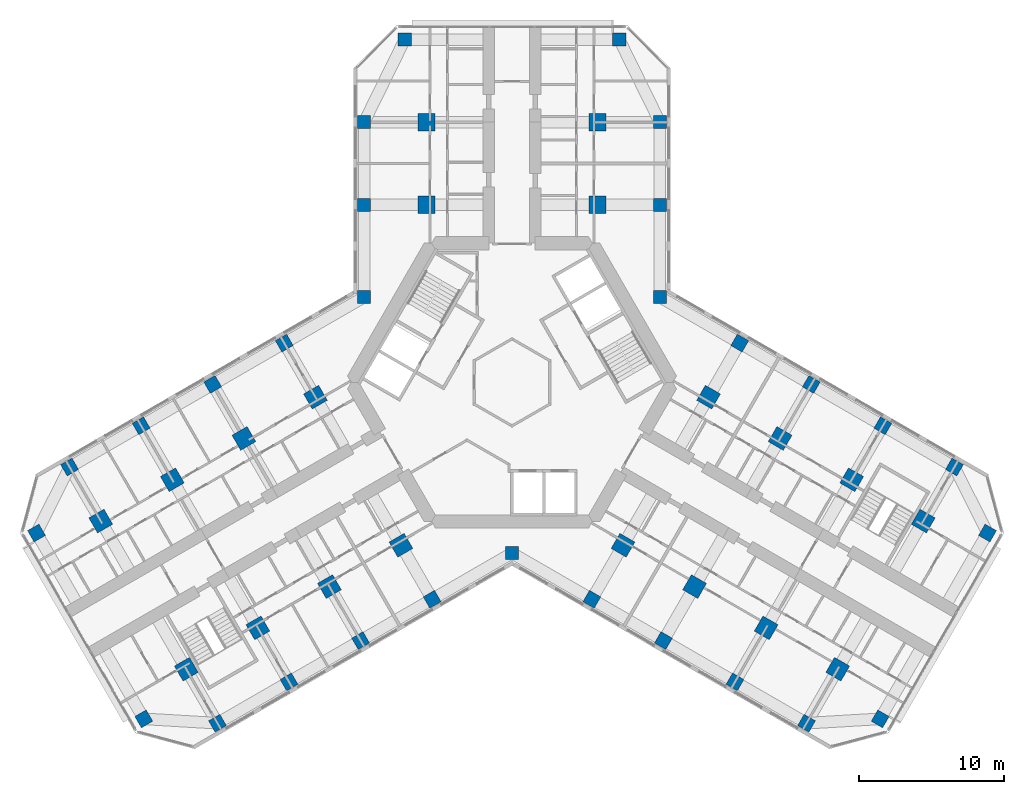
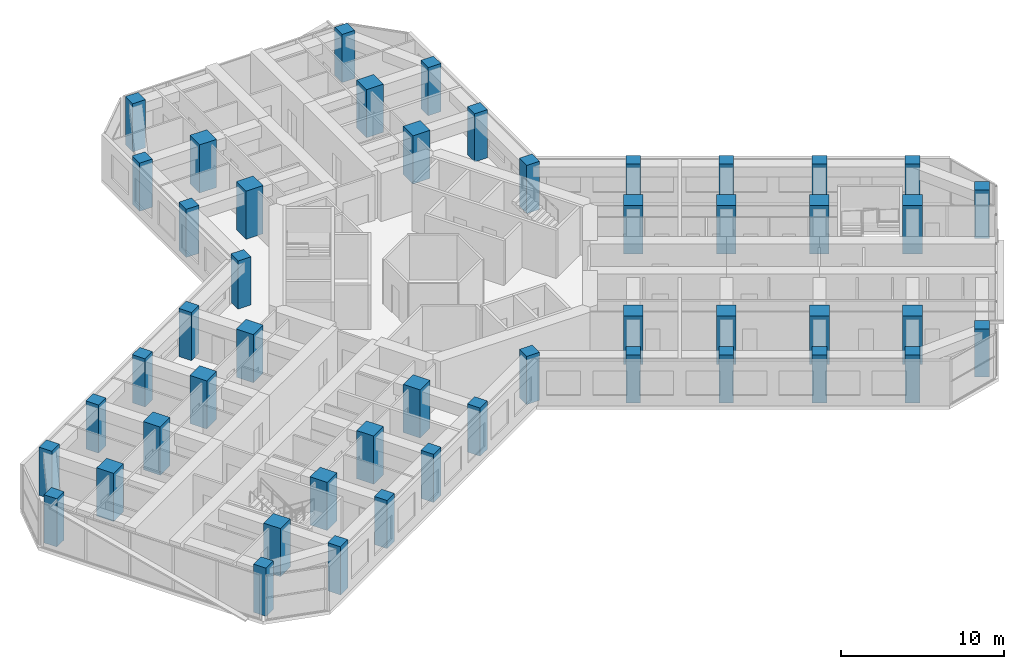
# One storey, part 1 of 19: 49 columns.
"""IFC4 building model written with IfcOpenShell, lengths in metres."""

from ifc_helpers import new_model, si_unit, direction, frame, origin, origin_2d, place, context, subcontext, project, spatial, rectangle, extrude, material, material_profile, profile_set, type_object, element, save


model = new_model("IFC4")

# Units and contexts
model_context = context("Model", 3, precision=1e-05, world=origin(), true_north=direction((0.0, 1.0)))
body_context = subcontext(model_context, "Body", "Model", "MODEL_VIEW")
ifc_project = project(units=[si_unit("LENGTHUNIT", "METRE"), si_unit("AREAUNIT", "SQUARE_METRE"), si_unit("VOLUMEUNIT", "CUBIC_METRE"), si_unit("PLANEANGLEUNIT", "RADIAN"), si_unit("MASSUNIT", "GRAM", prefix="KILO")], contexts=[model_context])

# Site, building, storey
site_placement = place(None, origin())
site = spatial("IfcSite", under=ifc_project, at=site_placement, CompositionType="ELEMENT")
building_placement = place(site_placement, origin())
building = spatial("IfcBuilding", under=site, at=building_placement, Name="Kosmar Iwan School Tower", CompositionType="ELEMENT")
storey_placement = place(building_placement, frame((0.0, 0.0, 141.800048828125)))
storey = spatial("IfcBuildingStorey", under=building, at=storey_placement, Name="L35", CompositionType="ELEMENT", Elevation=141.800048828125)

# Columns
ifc_material_1 = material(Name="Concrete C50/60", Category="concrete")
ifc_material_profile_1 = material_profile(ifc_material_1, rectangle(XDim=0.89990234375, YDim=0.89990234375, at=origin_2d()), Name="RC 900x900 + HD 400x634")
ifc_profile_set_1 = profile_set([ifc_material_profile_1], Name="Concrete C50/60")
column_type_1 = type_object("IfcColumnType", Name="Composite column 900x900 HD 400x634", PredefinedType="COLUMN", material=ifc_profile_set_1)
for number, where, z_axis, x_axis, name in (
    (1, (-10.199951171875, 12.25, 0.0), (0.0, 0.0, 1.0), (0.0, 1.0, 0.0), "Column AL1 L35"),
    (2, (-10.199951171875, 17.949951171875, 0.0), (0.0, 0.0, 1.0), (0.0, 1.0, 0.0), "Column AL2 L35"),
    (3, (-7.39990234375, 23.64990234375, 0.0), (0.0, 0.0, 1.0), (0.0, 1.0, 0.0), "Column ALTIP L35"),
    (4, (10.199951171875, 12.25, 0.0), (0.0, 0.0, 1.0), (0.0, 1.0, 0.0), "Column AR1 L35"),
    (5, (10.199951171875, 17.949951171875, 0.0), (0.0, 0.0, 1.0), (0.0, 1.0, 0.0), "Column AR2 L35"),
    (6, (7.39990234375, 23.64990234375, 0.0), (0.0, 0.0, 1.0), (0.0, 1.0, 0.0), "Column ARTIP L35"),
    (7, (-5.5087890625, -14.95849609375, 0.0), (0.0, 0.0, 1.0), (-0.866025403784, -0.5, 0.0), "Column BL1 L35"),
    (8, (-10.445068359375, -17.808349609375, 0.0), (0.0, 0.0, 1.0), (-0.866025403784, -0.5, 0.0), "Column BL2 L35"),
    (9, (-15.381591796875, -20.658447265625, 0.0), (0.0, 0.0, 1.0), (-0.866025403784, -0.5, 0.0), "Column BL3 L35"),
    (10, (-20.31787109375, -23.508544921875, 0.0), (0.0, 0.0, 1.0), (-0.866025403784, -0.5, 0.0), "Column BL4 L35"),
    (11, (-25.3984375, -23.20849609375, 0.0), (0.0, 0.0, 1.0), (-0.866025403784, -0.5, 0.0), "Column BLTIP L35"),
    (12, (-15.708740234375, 2.70849609375, 0.0), (0.0, 0.0, 1.0), (-0.866025403784, -0.5, 0.0), "Column BR1 L35"),
    (13, (-20.645263671875, -0.1416015625, 0.0), (0.0, 0.0, 1.0), (-0.866025403784, -0.5, 0.0), "Column BR2 L35"),
    (14, (-25.58154296875, -2.991455078125, 0.0), (0.0, 0.0, 1.0), (-0.866025403784, -0.5, 0.0), "Column BR3 L35"),
    (15, (-30.517822265625, -5.841552734375, 0.0), (0.0, 0.0, 1.0), (-0.866025403784, -0.5, 0.0), "Column BR4 L35"),
    (16, (-32.79833984375, -10.391357421875, 0.0), (0.0, 0.0, 1.0), (-0.866025403784, -0.5, 0.0), "Column BRTIP L35"),
    (17, (15.708740234375, 2.70849609375, 0.0), (0.0, 0.0, 1.0), (0.866025403784, -0.5, 0.0), "Column CL1 L35"),
    (18, (20.645263671875, -0.1416015625, 0.0), (0.0, 0.0, 1.0), (0.866025403784, -0.5, 0.0), "Column CL2 L35"),
    (19, (25.58154296875, -2.991455078125, 0.0), (0.0, 0.0, 1.0), (0.866025403784, -0.5, 0.0), "Column CL3 L35"),
    (20, (30.517822265625, -5.841552734375, 0.0), (0.0, 0.0, 1.0), (0.866025403784, -0.5, 0.0), "Column CL4 L35"),
    (21, (32.79833984375, -10.391357421875, 0.0), (0.0, 0.0, 1.0), (0.866025403784, -0.5, 0.0), "Column CLTIP L35"),
    (22, (5.5087890625, -14.95849609375, 0.0), (0.0, 0.0, 1.0), (0.866025403784, -0.5, 0.0), "Column CR1 L35"),
    (23, (10.445068359375, -17.808349609375, 0.0), (0.0, 0.0, 1.0), (0.866025403784, -0.5, 0.0), "Column CR2 L35"),
    (24, (15.381591796875, -20.658447265625, 0.0), (0.0, 0.0, 1.0), (0.866025403784, -0.5, 0.0), "Column CR3 L35"),
    (25, (20.31787109375, -23.508544921875, 0.0), (0.0, 0.0, 1.0), (0.866025403784, -0.5, 0.0), "Column CR4 L35"),
    (26, (25.3984375, -23.20849609375, 0.0), (0.0, 0.0, 1.0), (0.866025403784, -0.5, 0.0), "Column CRTIP L35"),
    (27, (-10.199951171875, 5.888916015625, 0.0), (0.0, 0.0, 1.0), (1.0, 0.0, 0.0), "Column RAB L35"),
    (28, (10.199951171875, 5.888916015625, 0.0), (0.0, 0.0, 1.0), (1.0, 0.0, 0.0), "Column RAC L35"),
    (29, (0.0, -11.77783203125, 0.0), (0.0, 0.0, 1.0), (1.0, 0.0, 0.0), "Column RBC L35"),
):
    element("IfcColumn", number, at=place(storey_placement, frame(where, z_axis=z_axis, x_axis=x_axis)), inside=storey, type_object=column_type_1, Name=name, PredefinedType="COLUMN", context=body_context, shape_type="SweptSolid", body=[
        extrude(rectangle(XDim=0.89990234375, YDim=0.89990234375, at=origin_2d()), origin(), (0.0, 0.0, 1.0), 3.599853515625),
    ])
ifc_material_2 = material(Name="Concrete C50/60", Category="concrete")
ifc_material_profile_2 = material_profile(ifc_material_2, rectangle(XDim=1.199951171875, YDim=1.199951171875, at=origin_2d()), Name="RC 1200x1200")
ifc_profile_set_2 = profile_set([ifc_material_profile_2], Name="Concrete C50/60")
column_type_2 = type_object("IfcColumnType", Name="RC interior column 1200x1200", PredefinedType="COLUMN", material=ifc_profile_set_2)
for number, where, z_axis, x_axis, name in (
    (30, (-5.89990234375, 12.25, 0.0), (0.0, 0.0, 1.0), (0.0, 1.0, 0.0), "Interior column ALI1 L35"),
    (31, (-5.89990234375, 17.949951171875, 0.0), (0.0, 0.0, 1.0), (0.0, 1.0, 0.0), "Interior column ALI2 L35"),
    (32, (5.89990234375, 12.25, 0.0), (0.0, 0.0, 1.0), (0.0, 1.0, 0.0), "Interior column ARI1 L35"),
    (33, (5.89990234375, 17.949951171875, 0.0), (0.0, 0.0, 1.0), (0.0, 1.0, 0.0), "Interior column ARI2 L35"),
    (34, (-7.65869140625, -11.234619140625, 0.0), (0.0, 0.0, 1.0), (-0.866025403784, -0.5, 0.0), "Interior column BLI1 L35"),
    (35, (-12.59521484375, -14.08447265625, 0.0), (0.0, 0.0, 1.0), (-0.866025403784, -0.5, 0.0), "Interior column BLI2 L35"),
    (36, (-17.531494140625, -16.9345703125, 0.0), (0.0, 0.0, 1.0), (-0.866025403784, -0.5, 0.0), "Interior column BLI3 L35"),
    (37, (-22.4677734375, -19.78466796875, 0.0), (0.0, 0.0, 1.0), (-0.866025403784, -0.5, 0.0), "Interior column BLI4 L35"),
    (38, (-13.558837890625, -1.015380859375, 0.0), (0.0, 0.0, 1.0), (-0.866025403784, -0.5, 0.0), "Interior column BRI1 L35"),
    (39, (-18.4951171875, -3.865478515625, 0.0), (0.0, 0.0, 1.0), (-0.866025403784, -0.5, 0.0), "Interior column BRI2 L35"),
    (40, (-23.431396484375, -6.71533203125, 0.0), (0.0, 0.0, 1.0), (-0.866025403784, -0.5, 0.0), "Interior column BRI3 L35"),
    (41, (-28.367919921875, -9.5654296875, 0.0), (0.0, 0.0, 1.0), (-0.866025403784, -0.5, 0.0), "Interior column BRI4 L35"),
    (42, (13.558837890625, -1.015380859375, 0.0), (0.0, 0.0, 1.0), (0.866025403784, -0.5, 0.0), "Interior column CLI1 L35"),
    (43, (18.4951171875, -3.865478515625, 0.0), (0.0, 0.0, 1.0), (0.866025403784, -0.5, 0.0), "Interior column CLI2 L35"),
    (44, (23.431396484375, -6.71533203125, 0.0), (0.0, 0.0, 1.0), (0.866025403784, -0.5, 0.0), "Interior column CLI3 L35"),
    (45, (28.367919921875, -9.5654296875, 0.0), (0.0, 0.0, 1.0), (0.866025403784, -0.5, 0.0), "Interior column CLI4 L35"),
    (46, (7.65869140625, -11.234619140625, 0.0), (0.0, 0.0, 1.0), (0.866025403784, -0.5, 0.0), "Interior column CRI1 L35"),
    (47, (12.59521484375, -14.08447265625, 0.0), (0.0, 0.0, 1.0), (0.866025403784, -0.5, 0.0), "Interior column CRI2 L35"),
    (48, (17.531494140625, -16.9345703125, 0.0), (0.0, 0.0, 1.0), (0.866025403784, -0.5, 0.0), "Interior column CRI3 L35"),
    (49, (22.4677734375, -19.78466796875, 0.0), (0.0, 0.0, 1.0), (0.866025403784, -0.5, 0.0), "Interior column CRI4 L35"),
):
    element("IfcColumn", number, at=place(storey_placement, frame(where, z_axis=z_axis, x_axis=x_axis)), inside=storey, type_object=column_type_2, Name=name, PredefinedType="COLUMN", context=body_context, shape_type="SweptSolid", body=[
        extrude(rectangle(XDim=1.199951171875, YDim=1.199951171875, at=origin_2d()), origin(), (0.0, 0.0, 1.0), 3.599853515625),
    ])

save(model, "model.ifc")
